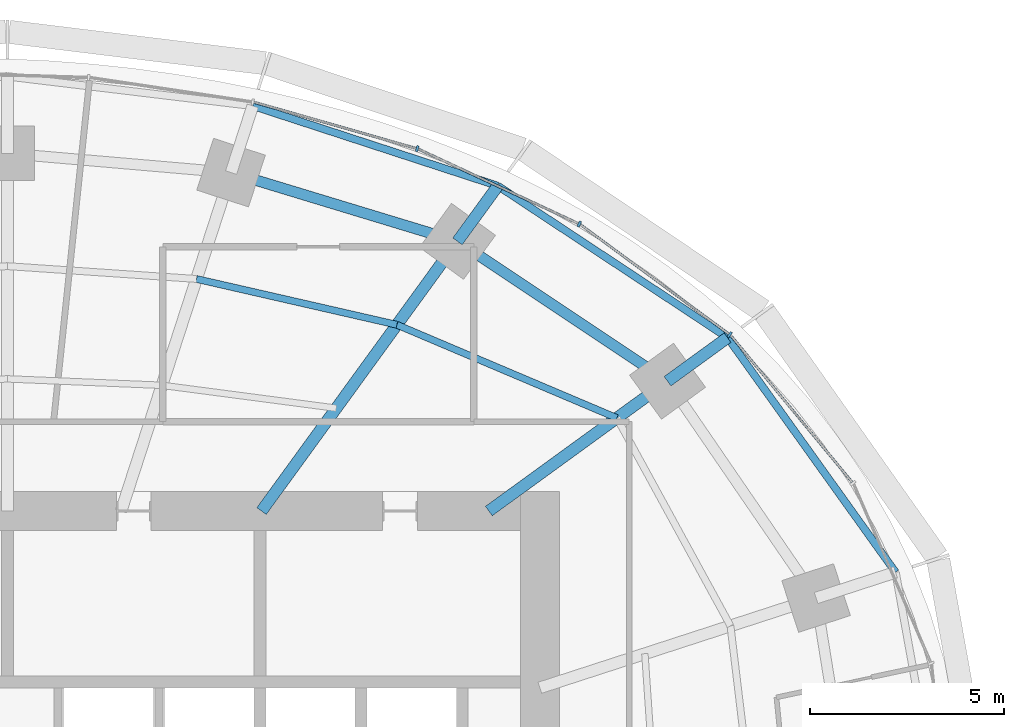
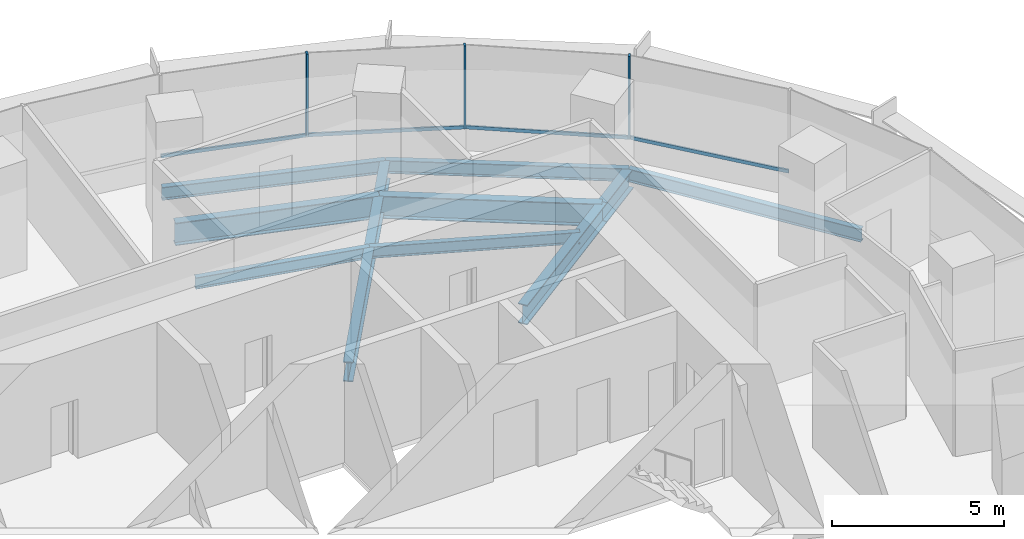
# One storey, part 8 of 14: 11 beams, 7 members, 2 elements without a shape of their own.
"""IFC4 building model written with IfcOpenShell, lengths in metres."""

from ifc_helpers import new_model, si_unit, direction, frame, origin, origin_2d, place, context, subcontext, project, spatial, rectangle, i_section, extrude, material, material_profile, profile_set, type_object, element, aggregate, save


model = new_model("IFC4")

# Units and contexts
model_context = context("Model", 3, precision=1e-05, world=origin(), true_north=direction((0.0, 1.0)))
body_context = subcontext(model_context, "Body", "Model", "MODEL_VIEW")
ifc_project = project(units=[si_unit("LENGTHUNIT", "METRE"), si_unit("AREAUNIT", "SQUARE_METRE"), si_unit("VOLUMEUNIT", "CUBIC_METRE"), si_unit("PLANEANGLEUNIT", "RADIAN"), si_unit("MASSUNIT", "GRAM", prefix="KILO")], contexts=[model_context])

# Site, building, storey
site_placement = place(None, origin())
site = spatial("IfcSite", under=ifc_project, at=site_placement, CompositionType="ELEMENT")
building_placement = place(site_placement, origin())
building = spatial("IfcBuilding", under=site, at=building_placement, Name="Marramba Exchange Tower", CompositionType="ELEMENT")
storey_placement = place(building_placement, frame((0.0, 0.0, 179.89990234375)))
storey = spatial("IfcBuildingStorey", under=building, at=storey_placement, Name="L43", CompositionType="ELEMENT", Elevation=179.89990234375)

# Beams
ifc_material_1 = material(Name="Steel AS/NZS 3679.2 grade 300", Category="steel")
ifc_material_profile_1 = material_profile(ifc_material_1, i_section(OverallWidth=0.300048828125, OverallDepth=0.699951171875, WebThickness=0.010009765625, FlangeThickness=0.031982421875, at=origin_2d()), Name="700WB173")
ifc_profile_set_1 = profile_set([ifc_material_profile_1], Name="Steel AS/NZS 3679.2 grade 300")
beam_type_1 = type_object("IfcBeamType", Name="Cantilever girder 700WB173", PredefinedType="BEAM", material=ifc_profile_set_1)
beam_1_placement = place(storey_placement, frame((16.98583984375, 12.3408203125, -0.510009765625), z_axis=(0.808962750283, 0.587859905636, 0.0), x_axis=(-0.587859905636, 0.808962750283, 0.0)))
element("IfcBeam", 1, at=beam_1_placement, inside=storey, type_object=beam_type_1, Name="Cantilever girder L43 TC03", PredefinedType="BEAM", context=body_context, shape_type="SweptSolid", body=[
    extrude(i_section(OverallWidth=0.300048828125, OverallDepth=0.699951171875, WebThickness=0.010009765625, FlangeThickness=0.031982421875, at=origin_2d()), origin(), (0.0, 0.0, 1.0), 1.9091796875),
])
beam_2_placement = place(storey_placement, frame((11.581298828125, 15.9404296875, -0.510009765625), z_axis=(0.587817766387, 0.808993370504, 0.0), x_axis=(-0.808993370504, 0.587817766387, 0.0)))
element("IfcBeam", 2, at=beam_2_placement, inside=storey, type_object=beam_type_1, Name="Cantilever girder L43 TC04", PredefinedType="BEAM", context=body_context, shape_type="SweptSolid", body=[
    extrude(i_section(OverallWidth=0.300048828125, OverallDepth=0.699951171875, WebThickness=0.010009765625, FlangeThickness=0.031982421875, at=origin_2d()), origin(), (0.0, 0.0, 1.0), 1.763916015625),
])
ifc_material_2 = material(Name="Steel AS/NZS 3679.1 grade 300", Category="steel")
ifc_material_profile_2 = material_profile(ifc_material_2, i_section(OverallWidth=0.177978515625, OverallDepth=0.406005859375, WebThickness=0.0078125, FlangeThickness=0.0126953125, FilletRadius=0.011474609375, at=origin_2d()), Name="410UB59.7")
ifc_profile_set_2 = profile_set([ifc_material_profile_2], Name="Steel AS/NZS 3679.1 grade 300")
beam_type_2 = type_object("IfcBeamType", Name="Floor joist 410UB59.7", PredefinedType="JOIST", material=ifc_profile_set_2)
beam_3_placement = place(storey_placement, frame((15.682373046875, 11.393798828125, -0.36279296875), z_axis=(-0.920674336375, 0.390331610738, 0.0), x_axis=(-0.390331610738, -0.920674336375, 0.0)))
element("IfcBeam", 3, at=beam_3_placement, inside=storey, type_object=beam_type_2, Name="Joist L43 bay 03 row 2", PredefinedType="JOIST", context=body_context, shape_type="SweptSolid", body=[
    extrude(i_section(OverallWidth=0.177978515625, OverallDepth=0.406005859375, WebThickness=0.0078125, FlangeThickness=0.0126953125, FilletRadius=0.011474609375, at=origin_2d()), origin(), (0.0, 0.0, 1.0), 6.1484375),
])
beam_4_placement = place(storey_placement, frame((10.021728515625, 13.793701171875, -0.36279296875), z_axis=(-0.974859652292, 0.222819788916, 0.0), x_axis=(-0.222819788916, -0.974859652292, 0.0)))
element("IfcBeam", 4, at=beam_4_placement, inside=storey, type_object=beam_type_2, Name="Joist L43 bay 04 row 2", PredefinedType="JOIST", context=body_context, shape_type="SweptSolid", body=[
    extrude(i_section(OverallWidth=0.177978515625, OverallDepth=0.406005859375, WebThickness=0.0078125, FlangeThickness=0.0126953125, FilletRadius=0.011474609375, at=origin_2d()), origin(), (0.0, 0.0, 1.0), 5.2900390625),
])

# Curtain wall, members
ifc_material_3 = material(Name="Aluminium framing, bronze anodised", Category="aluminium")
curtain_wall_type = type_object("IfcCurtainWallType", Name="Office ribbon curtain wall", PredefinedType="USERDEFINED", material=ifc_material_3)
curtain_wall_1_placement = place(storey_placement, origin())
curtain_wall_1 = element("IfcCurtainWall", 5, at=curtain_wall_1_placement, inside=storey, type_object=curtain_wall_type, Name="Curtain wall CW4 L43 F01-F05", ObjectType="RIBBON CURTAIN WALL", PredefinedType="USERDEFINED")
ifc_material_4 = material(Name="Aluminium mullion, bronze anodised", Category="aluminium")
ifc_material_profile_3 = material_profile(ifc_material_4, rectangle(XDim=0.159912109375, YDim=0.06005859375, at=origin_2d()), Name="CW4 mullion 60x160")
ifc_profile_set_3 = profile_set([ifc_material_profile_3], Name="Aluminium mullion, bronze anodised")
member_type_1 = type_object("IfcMemberType", Name="Office ribbon curtain wall mullion", PredefinedType="MULLION", material=ifc_profile_set_3)
member_1_placement = place(storey_placement, frame((18.587158203125, 13.53955078125, 0.800048828125), z_axis=(0.0, 0.0, 1.0), x_axis=(-0.593441317494, -0.804877259395, 0.0)))
member_1 = element("IfcMember", 6, at=member_1_placement, type_object=member_type_1, Name="CW4 mullion 1", PredefinedType="MULLION", context=body_context, shape_type="SweptSolid", body=[
    extrude(rectangle(XDim=0.159912109375, YDim=0.06005859375, at=origin_2d()), origin(), (0.0, 0.0, 1.0), 2.93994140625),
])
member_2_placement = place(storey_placement, frame((14.7158203125, 16.386474609375, 0.800048828125), z_axis=(0.0, 0.0, 1.0), x_axis=(-0.422133006189, -0.906533907301, 0.0)))
member_2 = element("IfcMember", 7, at=member_2_placement, type_object=member_type_1, Name="CW4 mullion 1", PredefinedType="MULLION", context=body_context, shape_type="SweptSolid", body=[
    extrude(rectangle(XDim=0.159912109375, YDim=0.06005859375, at=origin_2d()), origin(), (0.0, 0.0, 1.0), 2.93994140625),
])

# Curtain wall, member
curtain_wall_2_placement = place(storey_placement, origin())
curtain_wall_2 = element("IfcCurtainWall", 8, at=curtain_wall_2_placement, inside=storey, type_object=curtain_wall_type, Name="Curtain wall CW4 L43 F06-F10", ObjectType="RIBBON CURTAIN WALL", PredefinedType="USERDEFINED")
member_3_placement = place(storey_placement, frame((10.54541015625, 18.3232421875, 0.800048828125), z_axis=(0.0, 0.0, 1.0), x_axis=(-0.274248164656, -0.961658954195, 0.0)))
member_3 = element("IfcMember", 9, at=member_3_placement, type_object=member_type_1, Name="CW4 mullion 1", PredefinedType="MULLION", context=body_context, shape_type="SweptSolid", body=[
    extrude(rectangle(XDim=0.159912109375, YDim=0.06005859375, at=origin_2d()), origin(), (0.0, 0.0, 1.0), 2.93994140625),
])

# Member
ifc_material_5 = material(Name="Aluminium transom, bronze anodised", Category="aluminium")
ifc_material_profile_4 = material_profile(ifc_material_5, rectangle(XDim=0.06005859375, YDim=0.1201171875, at=origin_2d()), Name="CW4 transom 60x120")
ifc_profile_set_4 = profile_set([ifc_material_profile_4], Name="Aluminium transom, bronze anodised")
member_type_2 = type_object("IfcMemberType", Name="Office ribbon curtain wall transom", PredefinedType="USERDEFINED", material=ifc_profile_set_4)
member_4_placement = place(storey_placement, frame((21.73779296875, 9.74169921875, 0.830078125), z_axis=(-0.637375191043, 0.770553609973, 0.0), x_axis=(-0.770553609973, -0.637375191043, 0.0)))
member_4 = element("IfcMember", 10, at=member_4_placement, type_object=member_type_2, Name="CW4 sill transom", ObjectType="TRANSOM", PredefinedType="USERDEFINED", context=body_context, shape_type="SweptSolid", body=[
    extrude(rectangle(XDim=0.06005859375, YDim=0.1201171875, at=origin_2d()), origin(), (0.0, 0.0, 1.0), 4.905517578125),
])

member_5_placement = place(storey_placement, frame((18.56298828125, 13.557373046875, 0.830078125), z_axis=(-0.804874780157, 0.593444680039, 0.0), x_axis=(-0.593444680039, -0.804874780157, 0.0)))
member_5 = element("IfcMember", 11, at=member_5_placement, type_object=member_type_2, Name="CW4 sill transom", ObjectType="TRANSOM", PredefinedType="USERDEFINED", context=body_context, shape_type="SweptSolid", body=[
    extrude(rectangle(XDim=0.06005859375, YDim=0.1201171875, at=origin_2d()), origin(), (0.0, 0.0, 1.0), 4.745849609375),
])

member_6_placement = place(storey_placement, frame((14.688720703125, 16.399169921875, 0.830078125), z_axis=(-0.906548348139, 0.422101992989, 0.0), x_axis=(-0.422101992989, -0.906548348139, 0.0)))
member_6 = element("IfcMember", 12, at=member_6_placement, type_object=member_type_2, Name="CW4 sill transom", ObjectType="TRANSOM", PredefinedType="USERDEFINED", context=body_context, shape_type="SweptSolid", body=[
    extrude(rectangle(XDim=0.06005859375, YDim=0.1201171875, at=origin_2d()), origin(), (0.0, 0.0, 1.0), 4.53857421875),
])

aggregate(curtain_wall_1, [member_4, member_1, member_5, member_2, member_6])

member_7_placement = place(storey_placement, frame((10.5166015625, 18.33154296875, 0.830078125), z_axis=(-0.961661807825, 0.274238158125, 0.0), x_axis=(-0.274238158125, -0.961661807825, 0.0)))
member_7 = element("IfcMember", 13, at=member_7_placement, type_object=member_type_2, Name="CW4 sill transom", ObjectType="TRANSOM", PredefinedType="USERDEFINED", context=body_context, shape_type="SweptSolid", body=[
    extrude(rectangle(XDim=0.06005859375, YDim=0.1201171875, at=origin_2d()), origin(), (0.0, 0.0, 1.0), 4.340087890625),
])

aggregate(curtain_wall_2, [member_3, member_7])

# Beams
ifc_material_profile_5 = material_profile(ifc_material_1, i_section(OverallWidth=0.300048828125, OverallDepth=0.699951171875, WebThickness=0.010009765625, FlangeThickness=0.031982421875, at=origin_2d()), Name="700WB173")
ifc_profile_set_5 = profile_set([ifc_material_profile_5], Name="Steel AS/NZS 3679.2 grade 300")
beam_type_3 = type_object("IfcBeamType", Name="Radial girder 700WB173", PredefinedType="BEAM", material=ifc_profile_set_5)
beam_5_placement = place(storey_placement, frame((12.387451171875, 9.0, -0.510009765625), z_axis=(0.809025746925, 0.587773205252, 0.0), x_axis=(-0.587773205252, 0.809025746925, 0.0)))
element("IfcBeam", 14, at=beam_5_placement, inside=storey, type_object=beam_type_3, Name="Radial girder L43 TC03", PredefinedType="BEAM", context=body_context, shape_type="SweptSolid", body=[
    extrude(i_section(OverallWidth=0.300048828125, OverallDepth=0.699951171875, WebThickness=0.010009765625, FlangeThickness=0.031982421875, at=origin_2d()), origin(), (0.0, 0.0, 1.0), 5.683837890625),
])
beam_6_placement = place(storey_placement, frame((6.538818359375, 9.0, -0.510009765625), z_axis=(0.587782439969, 0.80901903764, 0.0), x_axis=(-0.80901903764, 0.587782439969, 0.0)))
element("IfcBeam", 15, at=beam_6_placement, inside=storey, type_object=beam_type_3, Name="Radial girder L43 TC04", PredefinedType="BEAM", context=body_context, shape_type="SweptSolid", body=[
    extrude(i_section(OverallWidth=0.300048828125, OverallDepth=0.699951171875, WebThickness=0.010009765625, FlangeThickness=0.031982421875, at=origin_2d()), origin(), (0.0, 0.0, 1.0), 8.578857421875),
])
ifc_material_profile_6 = material_profile(ifc_material_1, i_section(OverallWidth=0.27490234375, OverallDepth=0.800048828125, WebThickness=0.010009765625, FlangeThickness=0.02490234375, at=origin_2d()), Name="800WB168")
ifc_profile_set_6 = profile_set([ifc_material_profile_6], Name="Steel AS/NZS 3679.2 grade 300")
beam_type_4 = type_object("IfcBeamType", Name="Ring beam 800WB168", PredefinedType="SPANDREL", material=ifc_profile_set_6)
beam_7_placement = place(storey_placement, frame((16.98583984375, 12.3408203125, -0.559814453125), z_axis=(-0.832293151443, 0.554335737673, 0.0), x_axis=(-0.554335737673, -0.832293151443, 0.0)))
element("IfcBeam", 16, at=beam_7_placement, inside=storey, type_object=beam_type_4, Name="Ring beam L43 TC03-TC04", PredefinedType="SPANDREL", context=body_context, shape_type="SweptSolid", body=[
    extrude(i_section(OverallWidth=0.27490234375, OverallDepth=0.800048828125, WebThickness=0.010009765625, FlangeThickness=0.02490234375, at=origin_2d()), origin(), (0.0, 0.0, 1.0), 6.49365234375),
])
beam_8_placement = place(storey_placement, frame((11.581298828125, 15.9404296875, -0.559814453125), z_axis=(-0.956924542524, 0.290336735387, 0.0), x_axis=(-0.290336735387, -0.956924542524, 0.0)))
element("IfcBeam", 17, at=beam_8_placement, inside=storey, type_object=beam_type_4, Name="Ring beam L43 TC04-TC05", PredefinedType="SPANDREL", context=body_context, shape_type="SweptSolid", body=[
    extrude(i_section(OverallWidth=0.27490234375, OverallDepth=0.800048828125, WebThickness=0.010009765625, FlangeThickness=0.02490234375, at=origin_2d()), origin(), (0.0, 0.0, 1.0), 6.089599609375),
])
ifc_material_profile_7 = material_profile(ifc_material_2, i_section(OverallWidth=0.19091796875, OverallDepth=0.4599609375, WebThickness=0.010009765625, FlangeThickness=0.01611328125, FilletRadius=0.011474609375, at=origin_2d()), Name="460UB82.1")
ifc_profile_set_7 = profile_set([ifc_material_profile_7], Name="Steel AS/NZS 3679.1 grade 300")
beam_type_5 = type_object("IfcBeamType", Name="Slab edge beam 460UB82.1", PredefinedType="SPANDREL", material=ifc_profile_set_7)
beam_9_placement = place(storey_placement, frame((22.853515625, 7.425537109375, -0.389892578125), z_axis=(-0.582189457885, 0.813053156398, 0.0), x_axis=(-0.813053156398, -0.582189457885, 0.0)))
element("IfcBeam", 18, at=beam_9_placement, inside=storey, type_object=beam_type_5, Name="Slab edge beam L43 TC02-TC03", PredefinedType="SPANDREL", context=body_context, shape_type="SweptSolid", body=[
    extrude(i_section(OverallWidth=0.19091796875, OverallDepth=0.4599609375, WebThickness=0.010009765625, FlangeThickness=0.01611328125, FilletRadius=0.011474609375, at=origin_2d()), origin(), (0.0, 0.0, 1.0), 7.42578125),
])
beam_10_placement = place(storey_placement, frame((18.5302734375, 13.463134765625, -0.389892578125), z_axis=(-0.834459826117, 0.551068778463, 0.0), x_axis=(-0.551068778463, -0.834459826117, 0.0)))
element("IfcBeam", 19, at=beam_10_placement, inside=storey, type_object=beam_type_5, Name="Slab edge beam L43 TC03-TC04", PredefinedType="SPANDREL", context=body_context, shape_type="SweptSolid", body=[
    extrude(i_section(OverallWidth=0.19091796875, OverallDepth=0.4599609375, WebThickness=0.010009765625, FlangeThickness=0.01611328125, FilletRadius=0.011474609375, at=origin_2d()), origin(), (0.0, 0.0, 1.0), 7.0849609375),
])
beam_11_placement = place(storey_placement, frame((12.6181640625, 17.367431640625, -0.389892578125), z_axis=(-0.950608559101, 0.310392279809, 0.0), x_axis=(-0.310392279809, -0.950608559101, 0.0)))
element("IfcBeam", 20, at=beam_11_placement, inside=storey, type_object=beam_type_5, Name="Slab edge beam L43 TC04-TC05", PredefinedType="SPANDREL", context=body_context, shape_type="SweptSolid", body=[
    extrude(i_section(OverallWidth=0.19091796875, OverallDepth=0.4599609375, WebThickness=0.010009765625, FlangeThickness=0.01611328125, FilletRadius=0.011474609375, at=origin_2d()), origin(), (0.0, 0.0, 1.0), 6.6337890625),
])

save(model, "model.ifc")
